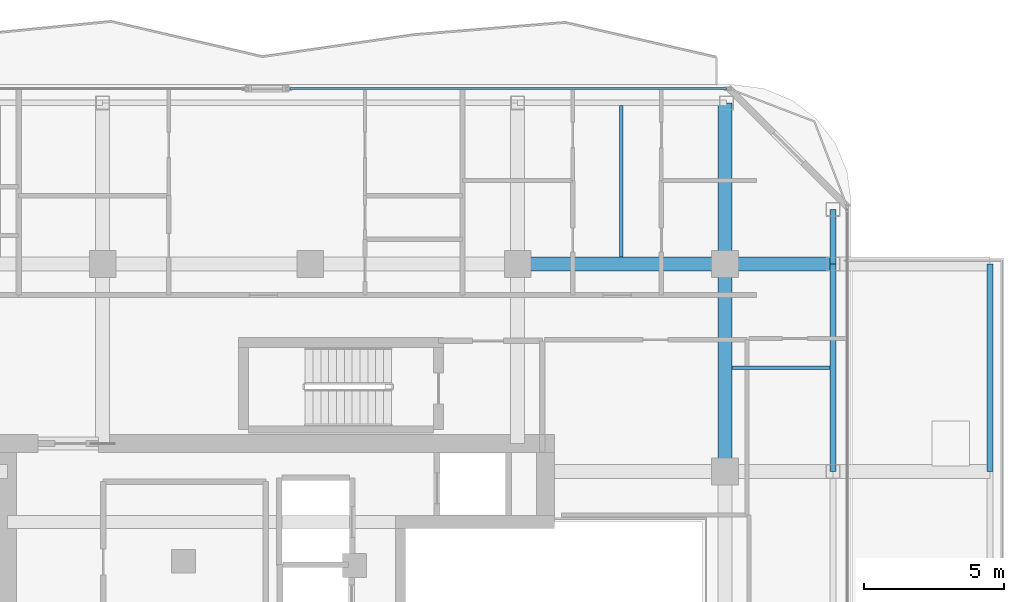
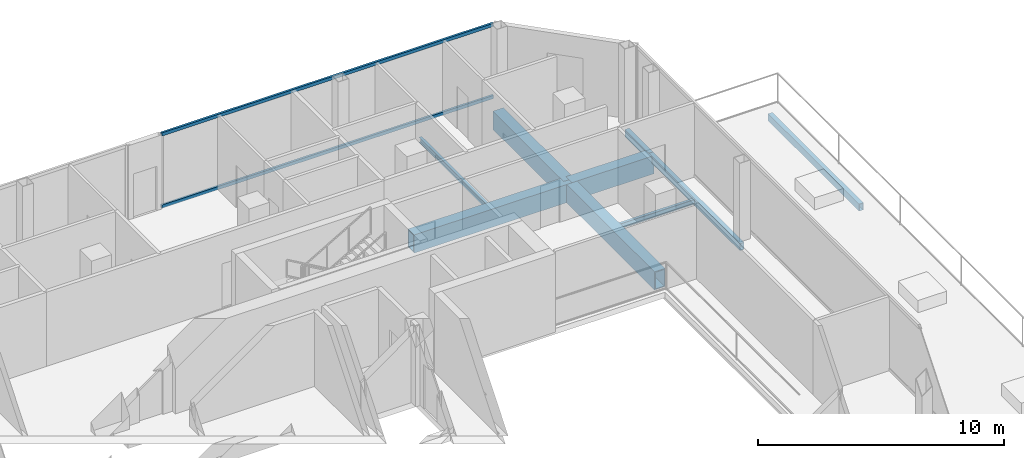
# One storey, part 14 of 24: 9 beams, 2 members, 1 element without a shape of its own.
"""IFC4 building model written with IfcOpenShell, lengths in metres."""

from ifc_helpers import new_model, si_unit, direction, frame, origin, origin_2d, place, context, subcontext, project, spatial, hollow_rectangle, i_section, extrude, material, layer, layer_set, material_profile, profile_set, type_object, element, aggregate, save


model = new_model("IFC4")

# Units and contexts
model_context = context("Model", 3, precision=1e-05, world=origin(), true_north=direction((0.0, 1.0)))
body_context = subcontext(model_context, "Body", "Model", "MODEL_VIEW")
ifc_project = project(units=[si_unit("LENGTHUNIT", "METRE"), si_unit("AREAUNIT", "SQUARE_METRE"), si_unit("VOLUMEUNIT", "CUBIC_METRE"), si_unit("PLANEANGLEUNIT", "RADIAN"), si_unit("MASSUNIT", "GRAM", prefix="KILO")], contexts=[model_context])

# Site, building, storey
site_placement = place(None, origin())
site = spatial("IfcSite", under=ifc_project, at=site_placement, CompositionType="ELEMENT")
building_placement = place(site_placement, origin())
building = spatial("IfcBuilding", under=site, at=building_placement, Name="Khorvyn Point Tower", CompositionType="ELEMENT")
storey_placement = place(building_placement, frame((0.0, 0.0, 285.89990234375)))
storey = spatial("IfcBuildingStorey", under=building, at=storey_placement, Name="L70", CompositionType="ELEMENT", Elevation=285.89990234375)

# Curtain wall, members
ifc_material_1 = material(Name="Anodised aluminium 6063-T6 and laminated Low-E glass", Category="aluminium")
ifc_layer = layer(ifc_material_1, 0.18994140625)
ifc_layer_set = layer_set([ifc_layer], Name="Stick-Built High-Wind Curtain Wall CW-SYS-04")
curtain_wall_type = type_object("IfcCurtainWallType", Name="Stick-Built High-Wind Curtain Wall CW-SYS-04", PredefinedType="NOTDEFINED", material=ifc_layer_set)
curtain_wall_placement = place(storey_placement, origin())
curtain_wall = element("IfcCurtainWall", 1, at=curtain_wall_placement, inside=storey, type_object=curtain_wall_type, Name="Curtain Wall", PredefinedType="NOTDEFINED")
ifc_material_2 = material(Name="Anodised aluminium 6063-T6", Category="aluminium")
ifc_material_profile_1 = material_profile(ifc_material_2, hollow_rectangle(XDim=0.10009765625, YDim=0.159912109375, WallThickness=0.00439453125, at=origin_2d()))
ifc_profile_set_1 = profile_set([ifc_material_profile_1], Name="Anodised aluminium 6063-T6 ALU-TRN-100x160")
member_type = type_object("IfcMemberType", Name="Anodised Aluminium 6063-T6 Transom ALU-TRN-100x160", PredefinedType="USERDEFINED", material=ifc_profile_set_1)
member_1_placement = place(storey_placement, frame((-0.719970703125, 21.050048828125, 0.050048828125), z_axis=(1.0, 0.0, 0.0), x_axis=(0.0, 1.0, 0.0)))
member_1 = element("IfcMember", 2, at=member_1_placement, type_object=member_type, Name="Transom", ObjectType="TRANSOM", PredefinedType="USERDEFINED", context=body_context, shape_type="SweptSolid", body=[
    extrude(hollow_rectangle(XDim=0.10009765625, YDim=0.159912109375, WallThickness=0.00439453125, at=origin_2d()), origin(), (0.0, 0.0, 1.0), 15.570068359375),
])
member_2_placement = place(storey_placement, frame((-0.719970703125, 21.050048828125, 3.630126953125), z_axis=(1.0, 0.0, 0.0), x_axis=(0.0, 1.0, 0.0)))
member_2 = element("IfcMember", 3, at=member_2_placement, type_object=member_type, Name="Transom", ObjectType="TRANSOM", PredefinedType="USERDEFINED", context=body_context, shape_type="SweptSolid", body=[
    extrude(hollow_rectangle(XDim=0.10009765625, YDim=0.159912109375, WallThickness=0.00439453125, at=origin_2d()), origin(), (0.0, 0.0, 1.0), 15.570068359375),
])
aggregate(curtain_wall, [member_1, member_2])

# Beams
ifc_material_3 = material(Name="Steel S355", Category="steel")
ifc_material_profile_2 = material_profile(ifc_material_3, i_section(OverallWidth=0.125, OverallDepth=0.25, WebThickness=0.006103515625, FlangeThickness=0.009033203125, at=origin_2d()))
ifc_profile_set_2 = profile_set([ifc_material_profile_2], Name="Steel S355 H250x125x6x9")
beam_type_1 = type_object("IfcBeamType", Name="Steel S355 Joist H250x125x6x9", PredefinedType="JOIST", material=ifc_profile_set_2)
beam_1_placement = place(storey_placement, frame((15.050048828125, 11.10009765625, -0.40478515625), z_axis=(1.0, 0.0, 0.0), x_axis=(0.0, 1.0, 0.0)))
element("IfcBeam", 4, at=beam_1_placement, inside=storey, type_object=beam_type_1, Name="Beam", PredefinedType="JOIST", context=body_context, shape_type="SweptSolid", body=[
    extrude(i_section(OverallWidth=0.125, OverallDepth=0.25, WebThickness=0.006103515625, FlangeThickness=0.009033203125, at=origin_2d()), origin(), (0.0, 0.0, 1.0), 3.5),
])
beam_2_placement = place(storey_placement, frame((11.10009765625, 15.050048828125, -0.40478515625), z_axis=(0.0, 1.0, 0.0), x_axis=(-1.0, 0.0, 0.0)))
element("IfcBeam", 5, at=beam_2_placement, inside=storey, type_object=beam_type_1, Name="Beam", PredefinedType="JOIST", context=body_context, shape_type="SweptSolid", body=[
    extrude(i_section(OverallWidth=0.125, OverallDepth=0.25, WebThickness=0.006103515625, FlangeThickness=0.009033203125, at=origin_2d()), origin(), (0.0, 0.0, 1.0), 5.39990234375),
])
ifc_material_profile_3 = material_profile(ifc_material_3, hollow_rectangle(XDim=0.199951171875, YDim=0.35009765625, WallThickness=0.013916015625, at=origin_2d()))
ifc_profile_set_3 = profile_set([ifc_material_profile_3], Name="Steel S355 RHS350x200x14")
beam_type_2 = type_object("IfcBeamType", Name="Steel S355 Spandrel RHS350x200x14", PredefinedType="SPANDREL", material=ifc_profile_set_3)
beam_3_placement = place(storey_placement, frame((18.64990234375, 7.39990234375, -0.454833984375), z_axis=(0.0, 1.0, 0.0), x_axis=(-1.0, 0.0, 0.0)))
element("IfcBeam", 6, at=beam_3_placement, inside=storey, type_object=beam_type_2, Name="Beam", PredefinedType="SPANDREL", context=body_context, shape_type="SweptSolid", body=[
    extrude(hollow_rectangle(XDim=0.199951171875, YDim=0.35009765625, WallThickness=0.013916015625, at=origin_2d()), origin(), (0.0, 0.0, 1.0), 7.400146484375),
])
beam_4_placement = place(storey_placement, frame((18.64990234375, 14.800048828125, -0.454833984375), z_axis=(0.0, 1.0, 0.0), x_axis=(-1.0, 0.0, 0.0)))
element("IfcBeam", 7, at=beam_4_placement, inside=storey, type_object=beam_type_2, Name="Beam", PredefinedType="SPANDREL", context=body_context, shape_type="SweptSolid", body=[
    extrude(hollow_rectangle(XDim=0.199951171875, YDim=0.35009765625, WallThickness=0.013916015625, at=origin_2d()), origin(), (0.0, 0.0, 1.0), 1.949951171875),
])
beam_5_placement = place(storey_placement, frame((24.25, 7.39990234375, -0.454833984375), z_axis=(0.0, 1.0, 0.0), x_axis=(-1.0, 0.0, 0.0)))
element("IfcBeam", 8, at=beam_5_placement, inside=storey, type_object=beam_type_2, Name="Beam", PredefinedType="SPANDREL", context=body_context, shape_type="SweptSolid", body=[
    extrude(hollow_rectangle(XDim=0.199951171875, YDim=0.35009765625, WallThickness=0.013916015625, at=origin_2d()), origin(), (0.0, 0.0, 1.0), 7.400146484375),
])
ifc_material_4 = material(Name="Steel S450", Category="steel")
ifc_material_profile_4 = material_profile(ifc_material_4, hollow_rectangle(XDim=0.5, YDim=0.89990234375, WallThickness=0.0400390625, at=origin_2d()))
ifc_profile_set_4 = profile_set([ifc_material_profile_4], Name="Steel S450 BOX900x500x40")
beam_type_3 = type_object("IfcBeamType", Name="Steel S450 Beam BOX900x500x40", PredefinedType="BEAM", material=ifc_profile_set_4)
beam_6_placement = place(storey_placement, frame((7.39990234375, 14.800048828125, -0.72998046875), z_axis=(1.0, 0.0, 0.0), x_axis=(0.0, 1.0, 0.0)))
element("IfcBeam", 9, at=beam_6_placement, inside=storey, type_object=beam_type_3, Name="L70 Radial Transfer Girder", PredefinedType="BEAM", context=body_context, shape_type="SweptSolid", body=[
    extrude(hollow_rectangle(XDim=0.5, YDim=0.89990234375, WallThickness=0.0400390625, at=origin_2d()), origin(), (0.0, 0.0, 1.0), 7.400146484375),
])
beam_7_placement = place(storey_placement, frame((14.800048828125, 14.800048828125, -0.72998046875), z_axis=(1.0, 0.0, 0.0), x_axis=(0.0, 1.0, 0.0)))
element("IfcBeam", 10, at=beam_7_placement, inside=storey, type_object=beam_type_3, Name="L70 Radial Transfer Girder", PredefinedType="BEAM", context=body_context, shape_type="SweptSolid", body=[
    extrude(hollow_rectangle(XDim=0.5, YDim=0.89990234375, WallThickness=0.0400390625, at=origin_2d()), origin(), (0.0, 0.0, 1.0), 3.849853515625),
])
beam_8_placement = place(storey_placement, frame((14.800048828125, 7.39990234375, -0.72998046875), z_axis=(0.0, 1.0, 0.0), x_axis=(-1.0, 0.0, 0.0)))
element("IfcBeam", 11, at=beam_8_placement, inside=storey, type_object=beam_type_3, Name="L70 Radial Transfer Girder", PredefinedType="BEAM", context=body_context, shape_type="SweptSolid", body=[
    extrude(hollow_rectangle(XDim=0.5, YDim=0.89990234375, WallThickness=0.0400390625, at=origin_2d()), origin(), (0.0, 0.0, 1.0), 7.400146484375),
])
beam_9_placement = place(storey_placement, frame((14.800048828125, 14.800048828125, -0.72998046875), z_axis=(0.0, 1.0, 0.0), x_axis=(-1.0, 0.0, 0.0)))
element("IfcBeam", 12, at=beam_9_placement, inside=storey, type_object=beam_type_3, Name="L70 Radial Transfer Girder", PredefinedType="BEAM", context=body_context, shape_type="SweptSolid", body=[
    extrude(hollow_rectangle(XDim=0.5, YDim=0.89990234375, WallThickness=0.0400390625, at=origin_2d()), origin(), (0.0, 0.0, 1.0), 5.75),
])

save(model, "model.ifc")
